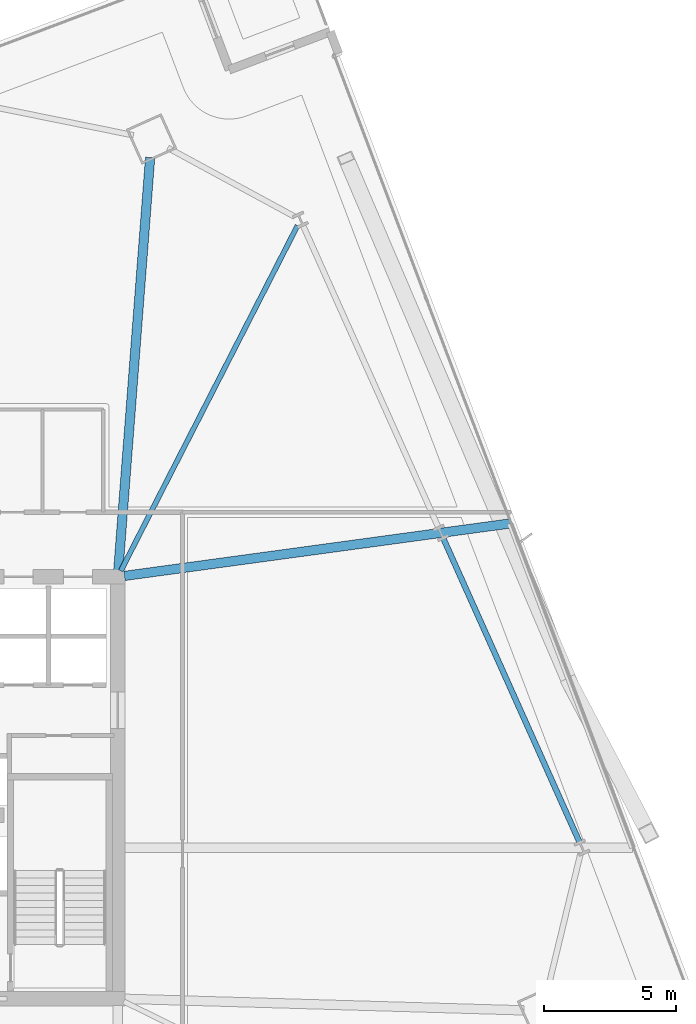
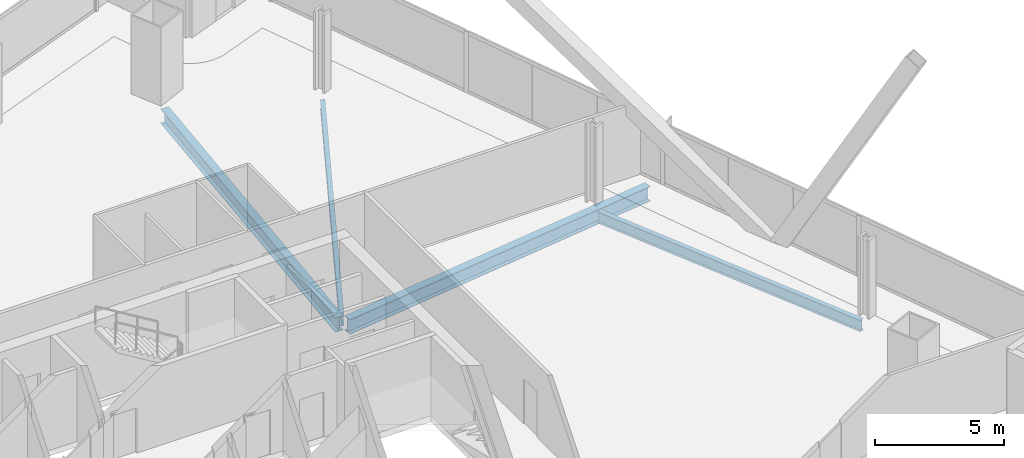
# One storey, part 23 of 37: 4 beams.
"""IFC4 building model written with IfcOpenShell, lengths in metres."""

from ifc_helpers import new_model, si_unit, direction, frame, origin, origin_2d, place, context, subcontext, project, spatial, i_section, extrude, material, material_profile, profile_set, type_object, element, save


model = new_model("IFC4")

# Units and contexts
model_context = context("Model", 3, precision=1e-05, world=origin(), true_north=direction((0.0, 1.0)))
body_context = subcontext(model_context, "Body", "Model", "MODEL_VIEW")
ifc_project = project(units=[si_unit("LENGTHUNIT", "METRE"), si_unit("AREAUNIT", "SQUARE_METRE"), si_unit("VOLUMEUNIT", "CUBIC_METRE"), si_unit("PLANEANGLEUNIT", "RADIAN"), si_unit("MASSUNIT", "GRAM", prefix="KILO")], contexts=[model_context])

# Site, building, storey
site_placement = place(None, origin())
site = spatial("IfcSite", under=ifc_project, at=site_placement, CompositionType="ELEMENT")
building_placement = place(site_placement, origin())
building = spatial("IfcBuilding", under=site, at=building_placement, Name="Haldenkirk Collegiate Tower", CompositionType="ELEMENT")
storey_placement = place(building_placement, frame((0.0, 0.0, 97.949951171875)))
storey = spatial("IfcBuildingStorey", under=building, at=storey_placement, Name="L23", CompositionType="ELEMENT", Elevation=97.949951171875)

# Beams
ifc_material = material(Name="Steel ASTM A992 Grade 50", Category="steel")
ifc_material_profile_1 = material_profile(ifc_material, i_section(OverallWidth=0.35498046875, OverallDepth=0.696044921875, WebThickness=0.015380859375, FlangeThickness=0.02490234375, at=origin_2d()), Name="W27X146")
ifc_profile_set_1 = profile_set([ifc_material_profile_1], Name="Steel ASTM A992 Grade 50")
beam_type_1 = type_object("IfcBeamType", Name="BM-GIRDER-W27X146", PredefinedType="BEAM", material=ifc_profile_set_1)
beam_1_placement = place(storey_placement, frame((46.226806640625, 49.9072265625, -0.64794921875), z_axis=(-0.076898657581, -0.997038914217, 0.0), x_axis=(0.997038914217, -0.076898657581, 0.0)))
element("IfcBeam", 1, at=beam_1_placement, inside=storey, type_object=beam_type_1, Name="L23 primary floor girder 03", PredefinedType="BEAM", context=body_context, shape_type="SweptSolid", body=[
    extrude(i_section(OverallWidth=0.35498046875, OverallDepth=0.696044921875, WebThickness=0.015380859375, FlangeThickness=0.02490234375, at=origin_2d()), origin(), (0.0, 0.0, 1.0), 15.699462890625),
])
beam_2_placement = place(storey_placement, frame((59.878173828125, 36.02392578125, -0.64794921875), z_axis=(-0.99087440172, -0.134788426862, 0.0), x_axis=(0.134788426862, -0.99087440172, 0.0)))
element("IfcBeam", 2, at=beam_2_placement, inside=storey, type_object=beam_type_1, Name="L23 primary floor girder 09", PredefinedType="BEAM", context=body_context, shape_type="SweptSolid", body=[
    extrude(i_section(OverallWidth=0.35498046875, OverallDepth=0.696044921875, WebThickness=0.015380859375, FlangeThickness=0.02490234375, at=origin_2d()), origin(), (0.0, 0.0, 1.0), 14.76025390625),
])
ifc_material_profile_2 = material_profile(ifc_material, i_section(OverallWidth=0.19189453125, OverallDepth=0.462890625, WebThickness=0.010498046875, FlangeThickness=0.017578125, at=origin_2d()), Name="W18X60")
ifc_profile_set_2 = profile_set([ifc_material_profile_2], Name="Steel ASTM A992 Grade 50")
beam_type_2 = type_object("IfcBeamType", Name="BM-JOIST-W18X60", PredefinedType="JOIST", material=ifc_profile_set_2)
beam_3_placement = place(storey_placement, frame((51.818603515625, 47.32470703125, -0.531494140625), z_axis=(-0.455544005291, -0.890213266158, 0.0), x_axis=(0.890213266158, -0.455544005291, 0.0)))
element("IfcBeam", 3, at=beam_3_placement, inside=storey, type_object=beam_type_2, Name="L23 composite floor joist 10", PredefinedType="JOIST", context=body_context, shape_type="SweptSolid", body=[
    extrude(i_section(OverallWidth=0.19189453125, OverallDepth=0.462890625, WebThickness=0.010498046875, FlangeThickness=0.017578125, at=origin_2d()), origin(), (0.0, 0.0, 1.0), 14.712890625),
])
ifc_material_profile_3 = material_profile(ifc_material, i_section(OverallWidth=0.2119140625, OverallDepth=0.5439453125, WebThickness=0.01318359375, FlangeThickness=0.021240234375, at=origin_2d()), Name="W21X83")
ifc_profile_set_3 = profile_set([ifc_material_profile_3], Name="Steel ASTM A992 Grade 50")
beam_type_3 = type_object("IfcBeamType", Name="BM-SPANDREL-W21X83", PredefinedType="SPANDREL", material=ifc_profile_set_3)
beam_4_placement = place(storey_placement, frame((62.50830078125, 23.951416015625, -0.572021484375), z_axis=(-0.409131045523, 0.91247563671, 0.0), x_axis=(-0.91247563671, -0.409131045523, 0.0)))
element("IfcBeam", 4, at=beam_4_placement, inside=storey, type_object=beam_type_3, Name="L23 perimeter spandrel beam 06", PredefinedType="SPANDREL", context=body_context, shape_type="SweptSolid", body=[
    extrude(i_section(OverallWidth=0.2119140625, OverallDepth=0.5439453125, WebThickness=0.01318359375, FlangeThickness=0.021240234375, at=origin_2d()), origin(), (0.0, 0.0, 1.0), 12.593994140625),
])

save(model, "model.ifc")
